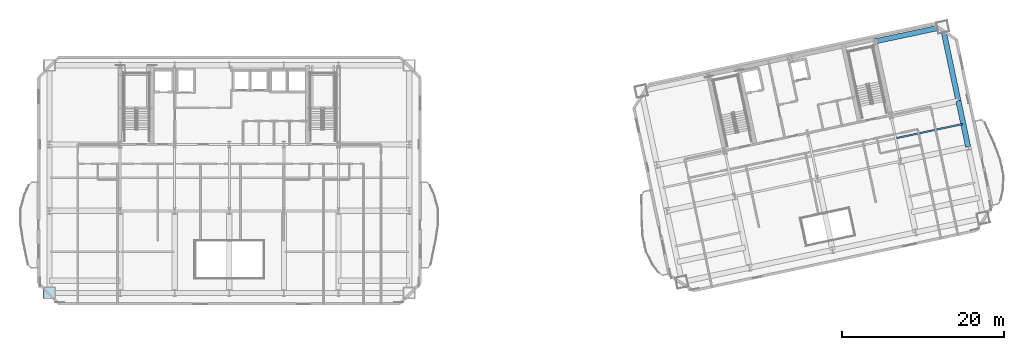
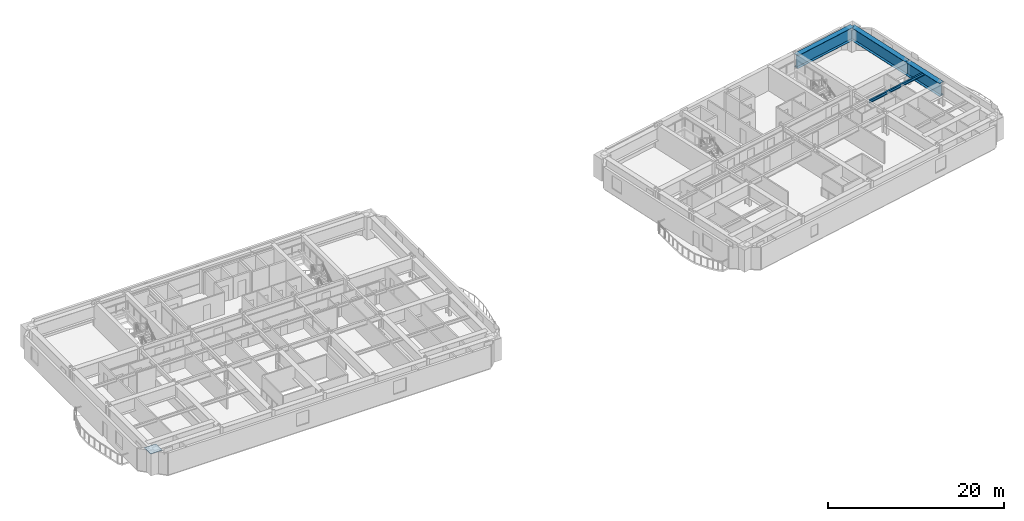
# One storey, part 4 of 15: 4 beams, 1 plate.
"""IFC4 building model written with IfcOpenShell, lengths in metres."""

from ifc_helpers import new_model, si_unit, direction, frame, origin, origin_2d, place, context, subcontext, project, spatial, rectangle, i_section, extrude, material, layer, layer_set, material_profile, profile_set, type_object, element, save


model = new_model("IFC4")

# Units and contexts
model_context = context("Model", 3, precision=1e-05, world=origin(), true_north=direction((0.0, 1.0)))
body_context = subcontext(model_context, "Body", "Model", "MODEL_VIEW")
ifc_project = project(units=[si_unit("LENGTHUNIT", "METRE"), si_unit("AREAUNIT", "SQUARE_METRE"), si_unit("VOLUMEUNIT", "CUBIC_METRE"), si_unit("PLANEANGLEUNIT", "RADIAN"), si_unit("MASSUNIT", "GRAM", prefix="KILO")], contexts=[model_context])

# Site, building, storey
site_placement = place(None, origin())
site = spatial("IfcSite", under=ifc_project, at=site_placement, CompositionType="ELEMENT")
building_placement = place(site_placement, origin())
building = spatial("IfcBuilding", under=site, at=building_placement, Name="Haevon Station Towers", CompositionType="ELEMENT")
storey_placement = place(building_placement, frame((0.0, 0.0, 109.800048828125)))
storey = spatial("IfcBuildingStorey", under=building, at=storey_placement, Name="L29", CompositionType="ELEMENT", Elevation=109.800048828125)

# Beams
ifc_material_1 = material(Name="Steel S355", Category="steel")
ifc_material_profile_1 = material_profile(ifc_material_1, i_section(OverallWidth=0.199951171875, OverallDepth=0.39990234375, WebThickness=0.008056640625, FlangeThickness=0.012939453125, at=origin_2d()), Name="H-400x200x8x13")
ifc_profile_set_1 = profile_set([ifc_material_profile_1], Name="Steel S355")
beam_type_1 = type_object("IfcBeamType", Name="BM-J400", PredefinedType="JOIST", material=ifc_profile_set_1)
beam_1_placement = place(storey_placement, frame((120.00390625, 38.994873046875, 2.849853515625), z_axis=(0.978146782292, 0.207915541247, 0.0), x_axis=(-0.207915541247, 0.978146782292, 0.0)))
element("IfcBeam", 1, at=beam_1_placement, inside=storey, type_object=beam_type_1, Name="BM-T2J-L29-02-04", PredefinedType="JOIST", context=body_context, shape_type="SweptSolid", body=[
    extrude(i_section(OverallWidth=0.199951171875, OverallDepth=0.39990234375, WebThickness=0.008056640625, FlangeThickness=0.012939453125, at=origin_2d()), origin(), (0.0, 0.0, 1.0), 8.330078125),
])
ifc_material_2 = material(Name="Steel S460", Category="steel")
ifc_material_profile_2 = material_profile(ifc_material_2, i_section(OverallWidth=0.64990234375, OverallDepth=1.800048828125, WebThickness=0.02490234375, FlangeThickness=0.0400390625, at=origin_2d()), Name="H-1800x650x25x40")
ifc_profile_set_2 = profile_set([ifc_material_profile_2], Name="Steel S460")
beam_type_2 = type_object("IfcBeamType", Name="BM-TG1800", PredefinedType="BEAM", material=ifc_profile_set_2)
beam_2_placement = place(storey_placement, frame((117.349365234375, 50.954345703125, 2.14990234375), z_axis=(0.978149560998, 0.207902468287, 0.0), x_axis=(-0.207902468287, 0.978149560998, 0.0)))
element("IfcBeam", 2, at=beam_2_placement, inside=storey, type_object=beam_type_2, Name="BM-T2U-L29-04-04", PredefinedType="BEAM", context=body_context, shape_type="SweptSolid", body=[
    extrude(i_section(OverallWidth=0.64990234375, OverallDepth=1.800048828125, WebThickness=0.02490234375, FlangeThickness=0.0400390625, at=origin_2d()), origin(), (0.0, 0.0, 1.0), 8.550048828125),
])
beam_3_placement = place(storey_placement, frame((128.862548828125, 37.912841796875, 2.14990234375), z_axis=(-0.207936282142, 0.978142373363, 0.0), x_axis=(-0.978142373363, -0.207936282142, 0.0)))
element("IfcBeam", 3, at=beam_3_placement, inside=storey, type_object=beam_type_2, Name="BM-T2V-L29-05-02", PredefinedType="BEAM", context=body_context, shape_type="SweptSolid", body=[
    extrude(i_section(OverallWidth=0.64990234375, OverallDepth=1.800048828125, WebThickness=0.02490234375, FlangeThickness=0.0400390625, at=origin_2d()), origin(), (0.0, 0.0, 1.0), 5.800048828125),
])
beam_4_placement = place(storey_placement, frame((127.656494140625, 43.586181640625, 2.14990234375), z_axis=(-0.207897167074, 0.978150687738, 0.0), x_axis=(-0.978150687738, -0.207897167074, 0.0)))
element("IfcBeam", 4, at=beam_4_placement, inside=storey, type_object=beam_type_2, Name="BM-T2V-L29-05-03", PredefinedType="BEAM", context=body_context, shape_type="SweptSolid", body=[
    extrude(i_section(OverallWidth=0.64990234375, OverallDepth=1.800048828125, WebThickness=0.02490234375, FlangeThickness=0.0400390625, at=origin_2d()), origin(), (0.0, 0.0, 1.0), 9.35009765625),
])

# Plate
ifc_material_3 = material(Name="PL-FLG1", Category="steel")
ifc_layer = layer(ifc_material_3, 0.044921875)
ifc_layer_set = layer_set([ifc_layer], Name="PL-FLG1")
plate_type = type_object("IfcPlateType", Name="PL-FLG1", PredefinedType="USERDEFINED", material=ifc_layer_set)
plate_placement = place(storey_placement, frame((15.25, 19.85009765625, 3.050048828125), z_axis=(0.0, 0.0, 1.0), x_axis=(1.0, 0.0, 0.0)))
element("IfcPlate", 5, at=plate_placement, inside=storey, type_object=plate_type, Name="PL-CAP-T1-L29-01-01", ObjectType="FLANGE_PLATE", PredefinedType="USERDEFINED", context=body_context, shape_type="SweptSolid", body=[
    extrude(rectangle(XDim=1.5400390625, YDim=1.43994140625, at=origin_2d()), origin(), (0.0, 0.0, 1.0), 0.0400390625),
])

save(model, "model.ifc")
